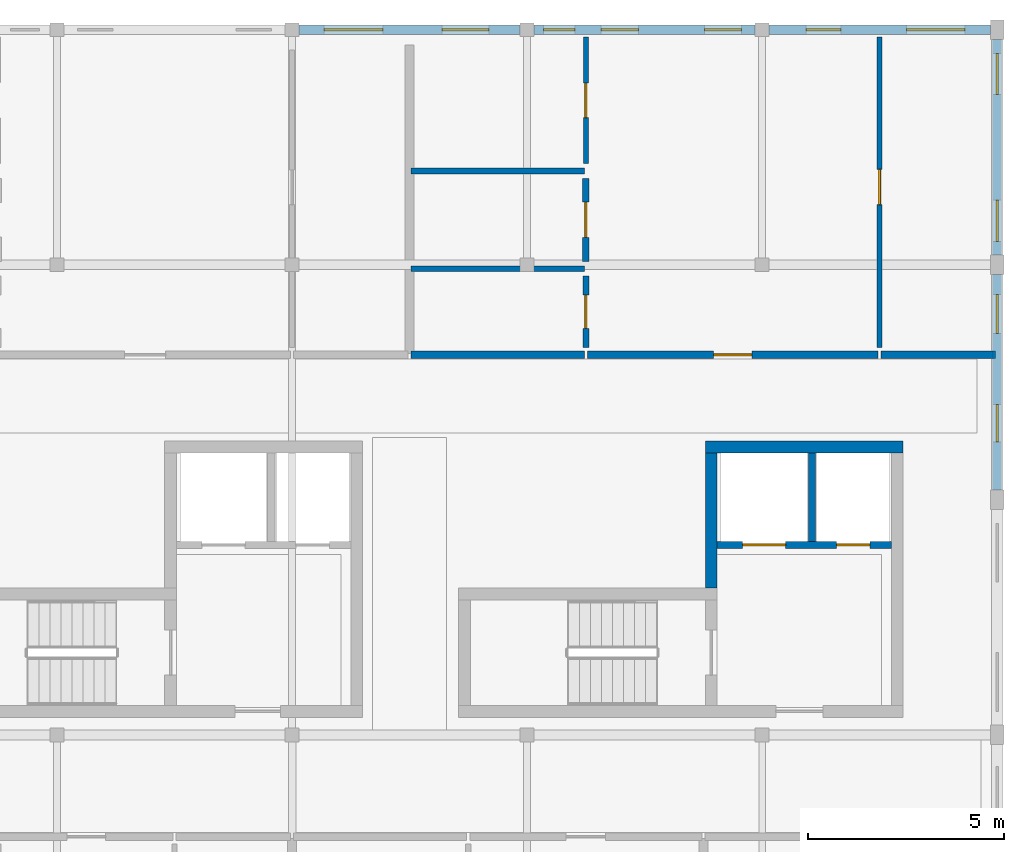
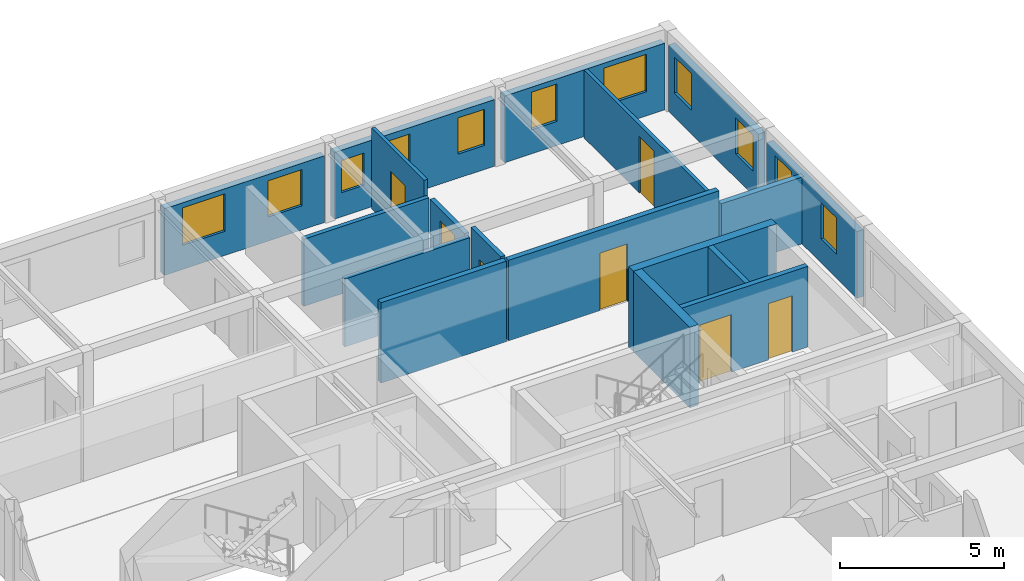
# One storey, part 5 of 7: 18 walls, 11 windows, 7 doors, 18 openings.
"""IFC4 building model written with IfcOpenShell, lengths in metres."""

from ifc_helpers import new_model, si_unit, direction, frame, frame_2d, origin, place, context, subcontext, project, spatial, rectangle, extrude, material, layer, layer_set, type_object, element, fill, save


model = new_model("IFC4")

# Units and contexts
model_context = context("Model", 3, precision=1e-05, world=origin(), true_north=direction((0.0, 1.0)))
body_context = subcontext(model_context, "Body", "Model", "MODEL_VIEW")
ifc_project = project(units=[si_unit("LENGTHUNIT", "METRE"), si_unit("AREAUNIT", "SQUARE_METRE"), si_unit("VOLUMEUNIT", "CUBIC_METRE"), si_unit("PLANEANGLEUNIT", "RADIAN"), si_unit("MASSUNIT", "GRAM", prefix="KILO"), si_unit("POWERUNIT", "WATT"), si_unit("THERMODYNAMICTEMPERATUREUNIT", "KELVIN")], contexts=[model_context])

# Site, building, storey
site_placement = place(None, origin())
site = spatial("IfcSite", under=ifc_project, at=site_placement, CompositionType="ELEMENT")
building_placement = place(site_placement, origin())
building = spatial("IfcBuilding", under=site, at=building_placement, Name="Ruvembo Vaulted Housing Court", CompositionType="ELEMENT")
storey_placement = place(building_placement, frame((0.0, 0.0, 42.89990234375)))
storey = spatial("IfcBuildingStorey", under=building, at=storey_placement, Name="L13", CompositionType="ELEMENT", Elevation=42.89990234375)

# Walls
ifc_material_1 = material(Name="Concrete C35/45", Category="concrete")
ifc_layer_1 = layer(ifc_material_1, 0.300048828125, Name="Concrete C35/45")
ifc_layer_set_1 = layer_set([ifc_layer_1], Name="Concrete C35/45")
wall_type_1 = type_object("IfcWallType", Name="WL-CORE-300", PredefinedType="SHEAR", material=ifc_layer_set_1)
wall_1_placement = place(storey_placement, frame((27.60009765625, 25.35009765625, 0.0), z_axis=(0.0, 0.0, 1.0), x_axis=(-1.0, 0.0, 0.0)))
element("IfcWall", 1, at=wall_1_placement, inside=storey, type_object=wall_type_1, Name="Core A2 L13 North Shear Wall", PredefinedType="SHEAR", context=body_context, shape_type="SweptSolid", body=[
    extrude(rectangle(XDim=5.050048828125, YDim=0.300048828125, at=frame_2d((2.52490234375, 0.0))), origin(), (0.0, 0.0, 1.0), 3.005126953125),
])
wall_2_placement = place(storey_placement, frame((22.699951171875, 21.75, 0.0), z_axis=(0.0, 0.0, 1.0), x_axis=(0.0, 1.0, 0.0)))
element("IfcWall", 2, at=wall_2_placement, inside=storey, type_object=wall_type_1, Name="Core A2 L13 Upper West Shear Wall", PredefinedType="SHEAR", context=body_context, shape_type="SweptSolid", body=[
    extrude(rectangle(XDim=3.449951171875, YDim=0.300048828125, at=frame_2d((1.72509765625, 0.0))), origin(), (0.0, 0.0, 1.0), 3.005126953125),
])
ifc_material_2 = material(Name="Concrete Blockwork 190", Category="masonry")
ifc_layer_2 = layer(ifc_material_2, 0.18994140625, Name="Concrete Blockwork 190")
ifc_layer_set_2 = layer_set([ifc_layer_2], Name="Concrete Blockwork 190")
wall_type_2 = type_object("IfcWallType", Name="WL-CORR-190", PredefinedType="SOLIDWALL", material=ifc_layer_set_2)
wall_3_placement = place(storey_placement, frame((15.0400390625, 27.699951171875, 0.0), z_axis=(0.0, 0.0, 1.0), x_axis=(1.0, 0.0, 0.0)))
element("IfcWall", 3, at=wall_3_placement, inside=storey, type_object=wall_type_2, Name="L13 Flat A-L13-N2 Corridor Wall WL-INT-L13-02385", PredefinedType="SOLIDWALL", context=body_context, shape_type="SweptSolid", body=[
    extrude(rectangle(XDim=4.419921875, YDim=0.18994140625, at=frame_2d((2.2099609375, 0.0))), origin(), (0.0, 0.0, 1.0), 3.005126953125),
])

# Wall, opening, door
wall_4_placement = place(storey_placement, frame((19.5400390625, 27.699951171875, 0.0), z_axis=(0.0, 0.0, 1.0), x_axis=(1.0, 0.0, 0.0)))
wall_4 = element("IfcWall", 4, at=wall_4_placement, inside=storey, type_object=wall_type_2, Name="L13 Flat A-L13-N2 Entrance WL-INT-L13-02386", PredefinedType="SOLIDWALL", context=body_context, shape_type="SweptSolid", body=[
    extrude(rectangle(XDim=7.419921875, YDim=0.18994140625, at=frame_2d((3.7099609375, 0.0))), origin(), (0.0, 0.0, 1.0), 3.005126953125),
])
opening_1_placement = place(wall_4_placement, frame((3.219970703125, 0.0, 0.0)))
opening_1 = element("IfcOpeningElement", 5, at=opening_1_placement, cuts=wall_4, Name="Opening FD2", PredefinedType="OPENING", context=body_context, shape_type="SweptSolid", body=[
    extrude(rectangle(XDim=0.97998046875, YDim=2.14990234375, at=frame_2d((0.489990234375, 1.074951171875))), frame((0.0, 0.10498046875, 0.0), z_axis=(0.0, -1.0, 0.0), x_axis=(1.0, 0.0, 0.0)), (0.0, 0.0, 1.0), 0.2099609375),
])
ifc_material_3 = material(Name="FSC Hardwood and Engineered Timber", Category="wood")
door_type_1 = type_object("IfcDoorType", Name="DR-FLAT-0980x2150", OperationType="NOTDEFINED", PredefinedType="DOOR", material=ifc_material_3)
door_1_placement = place(opening_1_placement, origin())
door_1 = element("IfcDoor", 6, at=door_1_placement, inside=storey, type_object=door_type_1, Name="L13 Flat A-L13-N2 Entrance Door DR-INT-L13-01318", OperationType="SINGLE_SWING_RIGHT", OverallHeight=2.14990234375, OverallWidth=0.97998046875, PredefinedType="DOOR", context=body_context, shape_type="SweptSolid", body=[
    extrude(rectangle(XDim=0.97998046875, YDim=2.14990234375, at=frame_2d((0.489990234375, 1.074951171875))), frame((0.0, 0.02490234375, 0.0), z_axis=(0.0, -1.0, 0.0), x_axis=(1.0, 0.0, 0.0)), (0.0, 0.0, 1.0), 0.050048828125),
])
fill(opening_1, door_1)

# Wall
wall_5_placement = place(storey_placement, frame((27.0400390625, 27.699951171875, 0.0), z_axis=(0.0, 0.0, 1.0), x_axis=(1.0, 0.0, 0.0)))
element("IfcWall", 7, at=wall_5_placement, inside=storey, type_object=wall_type_2, Name="L13 Flat A-L13-N2 Corridor Wall 2 WL-INT-L13-02392", PredefinedType="SOLIDWALL", context=body_context, shape_type="SweptSolid", body=[
    extrude(rectangle(XDim=2.919921875, YDim=0.18994140625, at=frame_2d((1.4599609375, 0.0))), origin(), (0.0, 0.0, 1.0), 2.487060546875),
])

# Wall, openings, windows
ifc_material_4 = material(Name="Rendered Masonry 235", Category="masonry")
ifc_layer_3 = layer(ifc_material_4, 0.235107421875, Name="Rendered Masonry 235")
ifc_layer_set_3 = layer_set([ifc_layer_3], Name="Rendered Masonry 235")
wall_type_3 = type_object("IfcWallType", Name="WL-EXT-235", PredefinedType="STANDARD", material=ifc_layer_set_3)
wall_6_placement = place(storey_placement, frame((30.0, 24.25, 0.0), z_axis=(0.0, 0.0, 1.0), x_axis=(0.0, 1.0, 0.0)))
wall_6 = element("IfcWall", 8, at=wall_6_placement, inside=storey, type_object=wall_type_3, Name="Block A L13 Exterior Wall EAST #4", PredefinedType="STANDARD", context=body_context, shape_type="SweptSolid", body=[
    extrude(rectangle(XDim=5.5, YDim=0.235107421875, at=frame_2d((2.75, 0.0))), origin(), (0.0, 0.0, 1.0), 2.487060546875),
])
opening_2_placement = place(wall_6_placement, frame((1.22998046875, 0.0, 0.89990234375)))
opening_2 = element("IfcOpeningElement", 9, at=opening_2_placement, cuts=wall_6, Name="Opening W07", PredefinedType="OPENING", context=body_context, shape_type="SweptSolid", body=[
    extrude(rectangle(XDim=0.949951171875, YDim=1.35009765625, at=frame_2d((0.47509765625, 0.675048828125))), frame((0.0, 0.12744140625, 0.0), z_axis=(0.0, -1.0, 0.0), x_axis=(1.0, 0.0, 0.0)), (0.0, 0.0, 1.0), 0.255126953125),
])
opening_3_placement = place(wall_6_placement, frame((3.9951171875, 0.0, 0.89990234375)))
opening_3 = element("IfcOpeningElement", 10, at=opening_3_placement, cuts=wall_6, Name="Opening W08", PredefinedType="OPENING", context=body_context, shape_type="SweptSolid", body=[
    extrude(rectangle(XDim=1.0, YDim=1.39990234375, at=frame_2d((0.5, 0.699951171875))), frame((0.0, 0.12744140625, 0.0), z_axis=(0.0, -1.0, 0.0), x_axis=(1.0, 0.0, 0.0)), (0.0, 0.0, 1.0), 0.255126953125),
])
ifc_material_5 = material(Name="Double Solar-Control Glazing in Aluminium Frame", Category="aluminium")
window_type_1 = type_object("IfcWindowType", Name="WIN-0950x1350", PartitioningType="SINGLE_PANEL", PredefinedType="WINDOW", material=ifc_material_5)
window_1_placement = place(opening_2_placement, origin())
window_1 = element("IfcWindow", 11, at=window_1_placement, inside=storey, type_object=window_type_1, Name="Block A L13 Window #577", OverallHeight=1.35009765625, OverallWidth=0.949951171875, PartitioningType="SINGLE_PANEL", PredefinedType="WINDOW", context=body_context, shape_type="SweptSolid", body=[
    extrude(rectangle(XDim=0.949951171875, YDim=1.35009765625, at=frame_2d((0.47509765625, 0.675048828125))), frame((0.0, 0.030029296875, 0.0), z_axis=(0.0, -1.0, 0.0), x_axis=(1.0, 0.0, 0.0)), (0.0, 0.0, 1.0), 0.06005859375),
])
fill(opening_2, window_1)
window_type_2 = type_object("IfcWindowType", Name="WIN-1000x1400", PartitioningType="SINGLE_PANEL", PredefinedType="WINDOW", material=ifc_material_5)
window_2_placement = place(opening_3_placement, origin())
window_2 = element("IfcWindow", 12, at=window_2_placement, inside=storey, type_object=window_type_2, Name="Block A L13 Window #578", OverallHeight=1.39990234375, OverallWidth=1.0, PartitioningType="SINGLE_PANEL", PredefinedType="WINDOW", context=body_context, shape_type="SweptSolid", body=[
    extrude(rectangle(XDim=1.0, YDim=1.39990234375, at=frame_2d((0.5, 0.699951171875))), frame((0.0, 0.030029296875, 0.0), z_axis=(0.0, -1.0, 0.0), x_axis=(1.0, 0.0, 0.0)), (0.0, 0.0, 1.0), 0.06005859375),
])
fill(opening_3, window_2)

wall_7_placement = place(storey_placement, frame((30.0, 30.25, 0.0), z_axis=(0.0, 0.0, 1.0), x_axis=(0.0, 1.0, 0.0)))
wall_7 = element("IfcWall", 13, at=wall_7_placement, inside=storey, type_object=wall_type_3, Name="Block A L13 Exterior Wall EAST #5", PredefinedType="STANDARD", context=body_context, shape_type="SweptSolid", body=[
    extrude(rectangle(XDim=5.5, YDim=0.235107421875, at=frame_2d((2.75, 0.0))), origin(), (0.0, 0.0, 1.0), 2.487060546875),
])
opening_4_placement = place(wall_7_placement, frame((0.35009765625, 0.0, 0.89990234375)))
opening_4 = element("IfcOpeningElement", 14, at=opening_4_placement, cuts=wall_7, Name="Opening W09", PredefinedType="OPENING", context=body_context, shape_type="SweptSolid", body=[
    extrude(rectangle(XDim=1.050048828125, YDim=1.35009765625, at=frame_2d((0.52490234375, 0.675048828125))), frame((0.0, 0.12744140625, 0.0), z_axis=(0.0, -1.0, 0.0), x_axis=(1.0, 0.0, 0.0)), (0.0, 0.0, 1.0), 0.255126953125),
])
opening_5_placement = place(wall_7_placement, frame((4.10009765625, 0.0, 0.89990234375)))
opening_5 = element("IfcOpeningElement", 15, at=opening_5_placement, cuts=wall_7, Name="Opening W09", PredefinedType="OPENING", context=body_context, shape_type="SweptSolid", body=[
    extrude(rectangle(XDim=1.050048828125, YDim=1.35009765625, at=frame_2d((0.52490234375, 0.675048828125))), frame((0.0, 0.12744140625, 0.0), z_axis=(0.0, -1.0, 0.0), x_axis=(1.0, 0.0, 0.0)), (0.0, 0.0, 1.0), 0.255126953125),
])
window_type_3 = type_object("IfcWindowType", Name="WIN-1050x1350", PartitioningType="SINGLE_PANEL", PredefinedType="WINDOW", material=ifc_material_5)
window_3_placement = place(opening_4_placement, origin())
window_3 = element("IfcWindow", 16, at=window_3_placement, inside=storey, type_object=window_type_3, Name="Block A L13 Window #579", OverallHeight=1.35009765625, OverallWidth=1.050048828125, PartitioningType="SINGLE_PANEL", PredefinedType="WINDOW", context=body_context, shape_type="SweptSolid", body=[
    extrude(rectangle(XDim=1.050048828125, YDim=1.35009765625, at=frame_2d((0.52490234375, 0.675048828125))), frame((0.0, 0.030029296875, 0.0), z_axis=(0.0, -1.0, 0.0), x_axis=(1.0, 0.0, 0.0)), (0.0, 0.0, 1.0), 0.06005859375),
])
fill(opening_4, window_3)
window_4_placement = place(opening_5_placement, origin())
window_4 = element("IfcWindow", 17, at=window_4_placement, inside=storey, type_object=window_type_3, Name="Block A L13 Window #580", OverallHeight=1.35009765625, OverallWidth=1.050048828125, PartitioningType="SINGLE_PANEL", PredefinedType="WINDOW", context=body_context, shape_type="SweptSolid", body=[
    extrude(rectangle(XDim=1.050048828125, YDim=1.35009765625, at=frame_2d((0.52490234375, 0.675048828125))), frame((0.0, 0.030029296875, 0.0), z_axis=(0.0, -1.0, 0.0), x_axis=(1.0, 0.0, 0.0)), (0.0, 0.0, 1.0), 0.06005859375),
])
fill(opening_5, window_4)

wall_8_placement = place(storey_placement, frame((29.824951171875, 36.0, 0.0), z_axis=(0.0, 0.0, 1.0), x_axis=(-1.0, 0.0, 0.0)))
wall_8 = element("IfcWall", 18, at=wall_8_placement, inside=storey, type_object=wall_type_3, Name="Block A L13 Exterior Wall COURTYARD #1", PredefinedType="STANDARD", context=body_context, shape_type="SweptSolid", body=[
    extrude(rectangle(XDim=5.64990234375, YDim=0.235107421875, at=frame_2d((2.824951171875, 0.0))), origin(), (0.0, 0.0, 1.0), 2.487060546875),
])
opening_6_placement = place(wall_8_placement, frame((0.642578125, 0.0, 0.89990234375)))
opening_6 = element("IfcOpeningElement", 19, at=opening_6_placement, cuts=wall_8, Name="Opening W18", PredefinedType="OPENING", context=body_context, shape_type="SweptSolid", body=[
    extrude(rectangle(XDim=1.5, YDim=1.39990234375, at=frame_2d((0.75, 0.699951171875))), frame((0.0, 0.12744140625, 0.0), z_axis=(0.0, -1.0, 0.0), x_axis=(1.0, 0.0, 0.0)), (0.0, 0.0, 1.0), 0.255126953125),
])
opening_7_placement = place(wall_8_placement, frame((3.8076171875, 0.0, 0.89990234375)))
opening_7 = element("IfcOpeningElement", 20, at=opening_7_placement, cuts=wall_8, Name="Opening W05", PredefinedType="OPENING", context=body_context, shape_type="SweptSolid", body=[
    extrude(rectangle(XDim=0.89990234375, YDim=1.39990234375, at=frame_2d((0.449951171875, 0.699951171875))), frame((0.0, 0.12744140625, 0.0), z_axis=(0.0, -1.0, 0.0), x_axis=(1.0, 0.0, 0.0)), (0.0, 0.0, 1.0), 0.255126953125),
])
window_type_4 = type_object("IfcWindowType", Name="WIN-0900x1400", PartitioningType="SINGLE_PANEL", PredefinedType="WINDOW", material=ifc_material_5)
window_5_placement = place(opening_7_placement, origin())
window_5 = element("IfcWindow", 21, at=window_5_placement, inside=storey, type_object=window_type_4, Name="Block A L13 Window #582", OverallHeight=1.39990234375, OverallWidth=0.89990234375, PartitioningType="SINGLE_PANEL", PredefinedType="WINDOW", context=body_context, shape_type="SweptSolid", body=[
    extrude(rectangle(XDim=0.89990234375, YDim=1.39990234375, at=frame_2d((0.449951171875, 0.699951171875))), frame((0.0, 0.030029296875, 0.0), z_axis=(0.0, -1.0, 0.0), x_axis=(1.0, 0.0, 0.0)), (0.0, 0.0, 1.0), 0.06005859375),
])
fill(opening_7, window_5)
window_type_5 = type_object("IfcWindowType", Name="WIN-1500x1400", PartitioningType="SINGLE_PANEL", PredefinedType="WINDOW", material=ifc_material_5)
window_6_placement = place(opening_6_placement, origin())
window_6 = element("IfcWindow", 22, at=window_6_placement, inside=storey, type_object=window_type_5, Name="Block A L13 Window #581", OverallHeight=1.39990234375, OverallWidth=1.5, PartitioningType="SINGLE_PANEL", PredefinedType="WINDOW", context=body_context, shape_type="SweptSolid", body=[
    extrude(rectangle(XDim=1.5, YDim=1.39990234375, at=frame_2d((0.75, 0.699951171875))), frame((0.0, 0.030029296875, 0.0), z_axis=(0.0, -1.0, 0.0), x_axis=(1.0, 0.0, 0.0)), (0.0, 0.0, 1.0), 0.06005859375),
])
fill(opening_6, window_6)

wall_9_placement = place(storey_placement, frame((23.824951171875, 36.0, 0.0), z_axis=(0.0, 0.0, 1.0), x_axis=(-1.0, 0.0, 0.0)))
wall_9 = element("IfcWall", 23, at=wall_9_placement, inside=storey, type_object=wall_type_3, Name="Block A L13 Exterior Wall COURTYARD #2", PredefinedType="STANDARD", context=body_context, shape_type="SweptSolid", body=[
    extrude(rectangle(XDim=5.64990234375, YDim=0.235107421875, at=frame_2d((2.824951171875, 0.0))), origin(), (0.0, 0.0, 1.0), 2.487060546875),
])
opening_8_placement = place(wall_9_placement, frame((0.35009765625, 0.0, 0.89990234375)))
opening_8 = element("IfcOpeningElement", 24, at=opening_8_placement, cuts=wall_9, Name="Opening W07", PredefinedType="OPENING", context=body_context, shape_type="SweptSolid", body=[
    extrude(rectangle(XDim=0.949951171875, YDim=1.35009765625, at=frame_2d((0.47509765625, 0.675048828125))), frame((0.0, 0.12744140625, 0.0), z_axis=(0.0, -1.0, 0.0), x_axis=(1.0, 0.0, 0.0)), (0.0, 0.0, 1.0), 0.255126953125),
])
opening_9_placement = place(wall_9_placement, frame((2.985107421875, 0.0, 0.89990234375)))
opening_9 = element("IfcOpeningElement", 25, at=opening_9_placement, cuts=wall_9, Name="Opening W07", PredefinedType="OPENING", context=body_context, shape_type="SweptSolid", body=[
    extrude(rectangle(XDim=0.949951171875, YDim=1.35009765625, at=frame_2d((0.47509765625, 0.675048828125))), frame((0.0, 0.12744140625, 0.0), z_axis=(0.0, -1.0, 0.0), x_axis=(1.0, 0.0, 0.0)), (0.0, 0.0, 1.0), 0.255126953125),
])
opening_10_placement = place(wall_9_placement, frame((4.607421875, 0.0, 0.89990234375)))
opening_10 = element("IfcOpeningElement", 26, at=opening_10_placement, cuts=wall_9, Name="Opening W02", PredefinedType="OPENING", context=body_context, shape_type="SweptSolid", body=[
    extrude(rectangle(XDim=0.800048828125, YDim=1.199951171875, at=frame_2d((0.39990234375, 0.60009765625))), frame((0.0, 0.12744140625, 0.0), z_axis=(0.0, -1.0, 0.0), x_axis=(1.0, 0.0, 0.0)), (0.0, 0.0, 1.0), 0.255126953125),
])
window_type_6 = type_object("IfcWindowType", Name="WIN-0800x1200", PartitioningType="SINGLE_PANEL", PredefinedType="WINDOW", material=ifc_material_5)
window_7_placement = place(opening_10_placement, origin())
window_7 = element("IfcWindow", 27, at=window_7_placement, inside=storey, type_object=window_type_6, Name="Block A L13 Window #585", OverallHeight=1.199951171875, OverallWidth=0.800048828125, PartitioningType="SINGLE_PANEL", PredefinedType="WINDOW", context=body_context, shape_type="SweptSolid", body=[
    extrude(rectangle(XDim=0.800048828125, YDim=1.199951171875, at=frame_2d((0.39990234375, 0.60009765625))), frame((0.0, 0.030029296875, 0.0), z_axis=(0.0, -1.0, 0.0), x_axis=(1.0, 0.0, 0.0)), (0.0, 0.0, 1.0), 0.06005859375),
])
fill(opening_10, window_7)
window_8_placement = place(opening_8_placement, origin())
window_8 = element("IfcWindow", 28, at=window_8_placement, inside=storey, type_object=window_type_1, Name="Block A L13 Window #583", OverallHeight=1.35009765625, OverallWidth=0.949951171875, PartitioningType="SINGLE_PANEL", PredefinedType="WINDOW", context=body_context, shape_type="SweptSolid", body=[
    extrude(rectangle(XDim=0.949951171875, YDim=1.35009765625, at=frame_2d((0.47509765625, 0.675048828125))), frame((0.0, 0.030029296875, 0.0), z_axis=(0.0, -1.0, 0.0), x_axis=(1.0, 0.0, 0.0)), (0.0, 0.0, 1.0), 0.06005859375),
])
fill(opening_8, window_8)
window_9_placement = place(opening_9_placement, origin())
window_9 = element("IfcWindow", 29, at=window_9_placement, inside=storey, type_object=window_type_1, Name="Block A L13 Window #584", OverallHeight=1.35009765625, OverallWidth=0.949951171875, PartitioningType="SINGLE_PANEL", PredefinedType="WINDOW", context=body_context, shape_type="SweptSolid", body=[
    extrude(rectangle(XDim=0.949951171875, YDim=1.35009765625, at=frame_2d((0.47509765625, 0.675048828125))), frame((0.0, 0.030029296875, 0.0), z_axis=(0.0, -1.0, 0.0), x_axis=(1.0, 0.0, 0.0)), (0.0, 0.0, 1.0), 0.06005859375),
])
fill(opening_9, window_9)

wall_10_placement = place(storey_placement, frame((17.824951171875, 36.0, 0.0), z_axis=(0.0, 0.0, 1.0), x_axis=(-1.0, 0.0, 0.0)))
wall_10 = element("IfcWall", 30, at=wall_10_placement, inside=storey, type_object=wall_type_3, Name="Block A L13 Exterior Wall COURTYARD #3", PredefinedType="STANDARD", context=body_context, shape_type="SweptSolid", body=[
    extrude(rectangle(XDim=5.64990234375, YDim=0.235107421875, at=frame_2d((2.824951171875, 0.0))), origin(), (0.0, 0.0, 1.0), 2.487060546875),
])
opening_11_placement = place(wall_10_placement, frame((0.79248046875, 0.0, 0.89990234375)))
opening_11 = element("IfcOpeningElement", 31, at=opening_11_placement, cuts=wall_10, Name="Opening W12", PredefinedType="OPENING", context=body_context, shape_type="SweptSolid", body=[
    extrude(rectangle(XDim=1.199951171875, YDim=1.35009765625, at=frame_2d((0.60009765625, 0.675048828125))), frame((0.0, 0.12744140625, 0.0), z_axis=(0.0, -1.0, 0.0), x_axis=(1.0, 0.0, 0.0)), (0.0, 0.0, 1.0), 0.255126953125),
])
opening_12_placement = place(wall_10_placement, frame((3.507568359375, 0.0, 0.89990234375)))
opening_12 = element("IfcOpeningElement", 32, at=opening_12_placement, cuts=wall_10, Name="Opening W18", PredefinedType="OPENING", context=body_context, shape_type="SweptSolid", body=[
    extrude(rectangle(XDim=1.5, YDim=1.39990234375, at=frame_2d((0.75, 0.699951171875))), frame((0.0, 0.12744140625, 0.0), z_axis=(0.0, -1.0, 0.0), x_axis=(1.0, 0.0, 0.0)), (0.0, 0.0, 1.0), 0.255126953125),
])
window_type_7 = type_object("IfcWindowType", Name="WIN-1200x1350", PartitioningType="SINGLE_PANEL", PredefinedType="WINDOW", material=ifc_material_5)
window_10_placement = place(opening_11_placement, origin())
window_10 = element("IfcWindow", 33, at=window_10_placement, inside=storey, type_object=window_type_7, Name="Block A L13 Window #586", OverallHeight=1.35009765625, OverallWidth=1.199951171875, PartitioningType="SINGLE_PANEL", PredefinedType="WINDOW", context=body_context, shape_type="SweptSolid", body=[
    extrude(rectangle(XDim=1.199951171875, YDim=1.35009765625, at=frame_2d((0.60009765625, 0.675048828125))), frame((0.0, 0.030029296875, 0.0), z_axis=(0.0, -1.0, 0.0), x_axis=(1.0, 0.0, 0.0)), (0.0, 0.0, 1.0), 0.06005859375),
])
fill(opening_11, window_10)
window_11_placement = place(opening_12_placement, origin())
window_11 = element("IfcWindow", 34, at=window_11_placement, inside=storey, type_object=window_type_5, Name="Block A L13 Window #587", OverallHeight=1.39990234375, OverallWidth=1.5, PartitioningType="SINGLE_PANEL", PredefinedType="WINDOW", context=body_context, shape_type="SweptSolid", body=[
    extrude(rectangle(XDim=1.5, YDim=1.39990234375, at=frame_2d((0.75, 0.699951171875))), frame((0.0, 0.030029296875, 0.0), z_axis=(0.0, -1.0, 0.0), x_axis=(1.0, 0.0, 0.0)), (0.0, 0.0, 1.0), 0.06005859375),
])
fill(opening_12, window_11)

# Wall, opening, door
ifc_material_6 = material(Name="Plasterboard Stud Partition 125", Category="gypsum")
ifc_layer_4 = layer(ifc_material_6, 0.125, Name="Plasterboard Stud Partition 125")
ifc_layer_set_4 = layer_set([ifc_layer_4], Name="Plasterboard Stud Partition 125")
wall_type_4 = type_object("IfcWallType", Name="WL-PART-125", PredefinedType="PARTITIONING", material=ifc_layer_set_4)
wall_11_placement = place(storey_placement, frame((19.5, 32.590087890625, 0.0), z_axis=(0.0, 0.0, 1.0), x_axis=(0.0, 1.0, 0.0)))
wall_11 = element("IfcWall", 35, at=wall_11_placement, inside=storey, type_object=wall_type_4, Name="L13 Flat A-L13-N2 Bedroom 1 WL-INT-L13-02387", PredefinedType="PARTITIONING", context=body_context, shape_type="SweptSolid", body=[
    extrude(rectangle(XDim=3.219970703125, YDim=0.125, at=frame_2d((1.60986328125, 0.0))), origin(), (0.0, 0.0, 1.0), 3.005126953125),
])
opening_13_placement = place(wall_11_placement, frame((1.169921875, 0.0, 0.0)))
opening_13 = element("IfcOpeningElement", 36, at=opening_13_placement, cuts=wall_11, Name="Opening ID3", PredefinedType="OPENING", context=body_context, shape_type="SweptSolid", body=[
    extrude(rectangle(XDim=0.8798828125, YDim=2.10009765625, at=frame_2d((0.43994140625, 1.050048828125))), frame((0.0, 0.072509765625, 0.0), z_axis=(0.0, -1.0, 0.0), x_axis=(1.0, 0.0, 0.0)), (0.0, 0.0, 1.0), 0.14501953125),
])
door_type_2 = type_object("IfcDoorType", Name="DR-ROOM-0880x2100", OperationType="NOTDEFINED", PredefinedType="DOOR", material=ifc_material_3)
door_2_placement = place(opening_13_placement, origin())
door_2 = element("IfcDoor", 37, at=door_2_placement, inside=storey, type_object=door_type_2, Name="L13 Flat A-L13-N2 Bedroom 1 Door DR-INT-L13-01319", OperationType="SINGLE_SWING_LEFT", OverallHeight=2.10009765625, OverallWidth=0.8798828125, PredefinedType="DOOR", context=body_context, shape_type="SweptSolid", body=[
    extrude(rectangle(XDim=0.8798828125, YDim=2.10009765625, at=frame_2d((0.43994140625, 1.050048828125))), frame((0.0, 0.02490234375, 0.0), z_axis=(0.0, -1.0, 0.0), x_axis=(1.0, 0.0, 0.0)), (0.0, 0.0, 1.0), 0.050048828125),
])
fill(opening_13, door_2)

wall_12_placement = place(storey_placement, frame((27.0, 27.889892578125, 0.0), z_axis=(0.0, 0.0, 1.0), x_axis=(0.0, 1.0, 0.0)))
wall_12 = element("IfcWall", 38, at=wall_12_placement, inside=storey, type_object=wall_type_4, Name="L13 Flat A-L13-N2 Bedroom 2 WL-INT-L13-02393", PredefinedType="PARTITIONING", context=body_context, shape_type="SweptSolid", body=[
    extrude(rectangle(XDim=7.920166015625, YDim=0.125, at=frame_2d((3.9599609375, 0.0))), origin(), (0.0, 0.0, 1.0), 2.537109375),
])
opening_14_placement = place(wall_12_placement, frame((3.64990234375, 0.0, 0.0)))
opening_14 = element("IfcOpeningElement", 39, at=opening_14_placement, cuts=wall_12, Name="Opening ID1", PredefinedType="OPENING", context=body_context, shape_type="SweptSolid", body=[
    extrude(rectangle(XDim=0.89990234375, YDim=2.10009765625, at=frame_2d((0.449951171875, 1.050048828125))), frame((0.0, 0.072509765625, 0.0), z_axis=(0.0, -1.0, 0.0), x_axis=(1.0, 0.0, 0.0)), (0.0, 0.0, 1.0), 0.14501953125),
])
door_type_3 = type_object("IfcDoorType", Name="DR-ROOM-0900x2100", OperationType="NOTDEFINED", PredefinedType="DOOR", material=ifc_material_3)
door_3_placement = place(opening_14_placement, origin())
door_3 = element("IfcDoor", 40, at=door_3_placement, inside=storey, type_object=door_type_3, Name="L13 Flat A-L13-N2 Bedroom 2 Door DR-INT-L13-01322", OperationType="SINGLE_SWING_RIGHT", OverallHeight=2.10009765625, OverallWidth=0.89990234375, PredefinedType="DOOR", context=body_context, shape_type="SweptSolid", body=[
    extrude(rectangle(XDim=0.89990234375, YDim=2.10009765625, at=frame_2d((0.449951171875, 1.050048828125))), frame((0.0, 0.02490234375, 0.0), z_axis=(0.0, -1.0, 0.0), x_axis=(1.0, 0.0, 0.0)), (0.0, 0.0, 1.0), 0.050048828125),
])
fill(opening_14, door_3)

ifc_material_7 = material(Name="Moisture-Resistant Wet Partition 150", Category="gypsum")
ifc_layer_5 = layer(ifc_material_7, 0.14990234375, Name="Moisture-Resistant Wet Partition 150")
ifc_layer_set_5 = layer_set([ifc_layer_5], Name="Moisture-Resistant Wet Partition 150")
wall_type_5 = type_object("IfcWallType", Name="WL-PART-150", PredefinedType="PARTITIONING", material=ifc_layer_set_5)
wall_13_placement = place(storey_placement, frame((19.5, 27.889892578125, 0.0), z_axis=(0.0, 0.0, 1.0), x_axis=(0.0, 1.0, 0.0)))
wall_13 = element("IfcWall", 41, at=wall_13_placement, inside=storey, type_object=wall_type_5, Name="L13 Flat A-L13-N2 Bathroom WL-INT-L13-02389", PredefinedType="PARTITIONING", context=body_context, shape_type="SweptSolid", body=[
    extrude(rectangle(XDim=1.820068359375, YDim=0.14990234375, at=frame_2d((0.91015625, 0.0))), origin(), (0.0, 0.0, 1.0), 3.005126953125),
])
opening_15_placement = place(wall_13_placement, frame((0.485107421875, 0.0, 0.0)))
opening_15 = element("IfcOpeningElement", 42, at=opening_15_placement, cuts=wall_13, Name="Opening ID2", PredefinedType="OPENING", context=body_context, shape_type="SweptSolid", body=[
    extrude(rectangle(XDim=0.85009765625, YDim=2.10009765625, at=frame_2d((0.425048828125, 1.050048828125))), frame((0.0, 0.0849609375, 0.0), z_axis=(0.0, -1.0, 0.0), x_axis=(1.0, 0.0, 0.0)), (0.0, 0.0, 1.0), 0.169921875),
])
door_type_4 = type_object("IfcDoorType", Name="DR-WET-0850x2100", OperationType="NOTDEFINED", PredefinedType="DOOR", material=ifc_material_3)
door_4_placement = place(opening_15_placement, origin())
door_4 = element("IfcDoor", 43, at=door_4_placement, inside=storey, type_object=door_type_4, Name="L13 Flat A-L13-N2 Bathroom Door DR-INT-L13-01321", OperationType="SINGLE_SWING_LEFT", OverallHeight=2.10009765625, OverallWidth=0.85009765625, PredefinedType="DOOR", context=body_context, shape_type="SweptSolid", body=[
    extrude(rectangle(XDim=0.85009765625, YDim=2.10009765625, at=frame_2d((0.425048828125, 1.050048828125))), frame((0.0, 0.02490234375, 0.0), z_axis=(0.0, -1.0, 0.0), x_axis=(1.0, 0.0, 0.0)), (0.0, 0.0, 1.0), 0.050048828125),
])
fill(opening_15, door_4)

# Walls
wall_14_placement = place(storey_placement, frame((15.0400390625, 32.39990234375, 0.0), z_axis=(0.0, 0.0, 1.0), x_axis=(1.0, 0.0, 0.0)))
element("IfcWall", 44, at=wall_14_placement, inside=storey, type_object=wall_type_5, Name="L13 Flat A-L13-N2 Wet Wall 1 WL-INT-L13-02390", PredefinedType="PARTITIONING", context=body_context, shape_type="SweptSolid", body=[
    extrude(rectangle(XDim=4.419921875, YDim=0.14990234375, at=frame_2d((2.2099609375, 0.0))), origin(), (0.0, 0.0, 1.0), 2.508056640625),
])
wall_15_placement = place(storey_placement, frame((15.0400390625, 29.89990234375, 0.0), z_axis=(0.0, 0.0, 1.0), x_axis=(1.0, 0.0, 0.0)))
element("IfcWall", 45, at=wall_15_placement, inside=storey, type_object=wall_type_5, Name="L13 Flat A-L13-N2 Wet Wall 2 WL-INT-L13-02391", PredefinedType="PARTITIONING", context=body_context, shape_type="SweptSolid", body=[
    extrude(rectangle(XDim=4.419921875, YDim=0.14990234375, at=frame_2d((2.2099609375, 0.0))), origin(), (0.0, 0.0, 1.0), 2.537109375),
])

# Wall, opening, door
ifc_material_8 = material(Name="Acoustic Service Chase Wall 160", Category="gypsum")
ifc_layer_6 = layer(ifc_material_8, 0.159912109375, Name="Acoustic Service Chase Wall 160")
ifc_layer_set_6 = layer_set([ifc_layer_6], Name="Acoustic Service Chase Wall 160")
wall_type_6 = type_object("IfcWallType", Name="WL-PLUMB-160", PredefinedType="PLUMBINGWALL", material=ifc_layer_set_6)
wall_16_placement = place(storey_placement, frame((19.5, 30.090087890625, 0.0), z_axis=(0.0, 0.0, 1.0), x_axis=(0.0, 1.0, 0.0)))
wall_16 = element("IfcWall", 46, at=wall_16_placement, inside=storey, type_object=wall_type_6, Name="L13 Flat A-L13-N2 Kitchen WL-INT-L13-02388", PredefinedType="PLUMBINGWALL", context=body_context, shape_type="SweptSolid", body=[
    extrude(rectangle(XDim=2.119873046875, YDim=0.159912109375, at=frame_2d((1.06005859375, 0.0))), origin(), (0.0, 0.0, 1.0), 2.537109375),
])
opening_16_placement = place(wall_16_placement, frame((0.610107421875, 0.0, 0.0)))
opening_16 = element("IfcOpeningElement", 47, at=opening_16_placement, cuts=wall_16, Name="Opening ID1", PredefinedType="OPENING", context=body_context, shape_type="SweptSolid", body=[
    extrude(rectangle(XDim=0.89990234375, YDim=2.10009765625, at=frame_2d((0.449951171875, 1.050048828125))), frame((0.0, 0.08984375, 0.0), z_axis=(0.0, -1.0, 0.0), x_axis=(1.0, 0.0, 0.0)), (0.0, 0.0, 1.0), 0.179931640625),
])
door_5_placement = place(opening_16_placement, origin())
door_5 = element("IfcDoor", 48, at=door_5_placement, inside=storey, type_object=door_type_3, Name="L13 Flat A-L13-N2 Kitchen Door DR-INT-L13-01320", OperationType="SINGLE_SWING_RIGHT", OverallHeight=2.10009765625, OverallWidth=0.89990234375, PredefinedType="DOOR", context=body_context, shape_type="SweptSolid", body=[
    extrude(rectangle(XDim=0.89990234375, YDim=2.10009765625, at=frame_2d((0.449951171875, 1.050048828125))), frame((0.0, 0.02490234375, 0.0), z_axis=(0.0, -1.0, 0.0), x_axis=(1.0, 0.0, 0.0)), (0.0, 0.0, 1.0), 0.050048828125),
])
fill(opening_16, door_5)

# Wall, openings, doors
ifc_material_9 = material(Name="Fire-Rated Masonry Shaft 180", Category="masonry")
ifc_layer_7 = layer(ifc_material_9, 0.179931640625, Name="Fire-Rated Masonry Shaft 180")
ifc_layer_set_7 = layer_set([ifc_layer_7], Name="Fire-Rated Masonry Shaft 180")
wall_type_7 = type_object("IfcWallType", Name="WL-SHAFT-180", PredefinedType="SOLIDWALL", material=ifc_layer_set_7)
wall_17_placement = place(storey_placement, frame((22.85009765625, 22.85009765625, 0.0), z_axis=(0.0, 0.0, 1.0), x_axis=(1.0, 0.0, 0.0)))
wall_17 = element("IfcWall", 49, at=wall_17_placement, inside=storey, type_object=wall_type_7, Name="Core A2 L13 Lift and Riser Front Wall", PredefinedType="SOLIDWALL", context=body_context, shape_type="SweptSolid", body=[
    extrude(rectangle(XDim=4.449951171875, YDim=0.179931640625, at=frame_2d((2.22509765625, 0.0))), origin(), (0.0, 0.0, 1.0), 3.005126953125),
])
opening_17_placement = place(wall_17_placement, frame((0.64990234375, 0.0, 0.0)))
opening_17 = element("IfcOpeningElement", 50, at=opening_17_placement, cuts=wall_17, Name="Opening LD-FL-A2-L13", PredefinedType="OPENING", context=body_context, shape_type="SweptSolid", body=[
    extrude(rectangle(XDim=1.10009765625, YDim=2.14990234375, at=frame_2d((0.550048828125, 1.074951171875))), frame((0.0, 0.099853515625, 0.0), z_axis=(0.0, -1.0, 0.0), x_axis=(1.0, 0.0, 0.0)), (0.0, 0.0, 1.0), 0.199951171875),
])
opening_18_placement = place(wall_17_placement, frame((3.050048828125, 0.0, 0.0)))
opening_18 = element("IfcOpeningElement", 51, at=opening_18_placement, cuts=wall_17, Name="Opening RD1", PredefinedType="OPENING", context=body_context, shape_type="SweptSolid", body=[
    extrude(rectangle(XDim=0.85009765625, YDim=2.10009765625, at=frame_2d((0.425048828125, 1.050048828125))), frame((0.0, 0.099853515625, 0.0), z_axis=(0.0, -1.0, 0.0), x_axis=(1.0, 0.0, 0.0)), (0.0, 0.0, 1.0), 0.199951171875),
])
ifc_material_10 = material(Name="Brushed Stainless Steel 304", Category="steel")
door_type_5 = type_object("IfcDoorType", Name="DR-LIFT-1100x2150", OperationType="NOTDEFINED", PredefinedType="DOOR", material=ifc_material_10)
door_6_placement = place(opening_17_placement, origin())
door_6 = element("IfcDoor", 52, at=door_6_placement, inside=storey, type_object=door_type_5, Name="Lift FL-A2 L13 Sliding Landing Door", OperationType="SLIDING_TO_LEFT", OverallHeight=2.14990234375, OverallWidth=1.10009765625, PredefinedType="DOOR", context=body_context, shape_type="SweptSolid", body=[
    extrude(rectangle(XDim=1.10009765625, YDim=2.14990234375, at=frame_2d((0.550048828125, 1.074951171875))), frame((0.0, 0.02490234375, 0.0), z_axis=(0.0, -1.0, 0.0), x_axis=(1.0, 0.0, 0.0)), (0.0, 0.0, 1.0), 0.050048828125),
])
fill(opening_17, door_6)
ifc_material_11 = material(Name="Galvanised Painted Steel", Category="steel")
door_type_6 = type_object("IfcDoorType", Name="DR-RISER-0850x2100", OperationType="NOTDEFINED", PredefinedType="DOOR", material=ifc_material_11)
door_7_placement = place(opening_18_placement, frame((0.85009765625, 0.0, 0.0), z_axis=(0.0, 0.0, 1.0), x_axis=(-1.0, 0.0, 0.0)))
door_7 = element("IfcDoor", 53, at=door_7_placement, inside=storey, type_object=door_type_6, Name="Core A2 L13 Service Riser Door", OperationType="SINGLE_SWING_LEFT", OverallHeight=2.10009765625, OverallWidth=0.85009765625, PredefinedType="DOOR", context=body_context, shape_type="SweptSolid", body=[
    extrude(rectangle(XDim=0.85009765625, YDim=2.10009765625, at=frame_2d((0.425048828125, 1.050048828125))), frame((0.0, 0.02490234375, 0.0), z_axis=(0.0, -1.0, 0.0), x_axis=(1.0, 0.0, 0.0)), (0.0, 0.0, 1.0), 0.050048828125),
])
fill(opening_18, door_7)

# Wall
wall_18_placement = place(storey_placement, frame((25.27001953125, 22.93994140625, 0.0), z_axis=(0.0, 0.0, 1.0), x_axis=(0.0, 1.0, 0.0)))
element("IfcWall", 54, at=wall_18_placement, inside=storey, type_object=wall_type_7, Name="Core A2 L13 Shaft-Riser Divider Wall", PredefinedType="SOLIDWALL", context=body_context, shape_type="SweptSolid", body=[
    extrude(rectangle(XDim=2.260009765625, YDim=0.179931640625, at=frame_2d((1.1298828125, 0.0))), origin(), (0.0, 0.0, 1.0), 3.005126953125),
])

save(model, "model.ifc")
